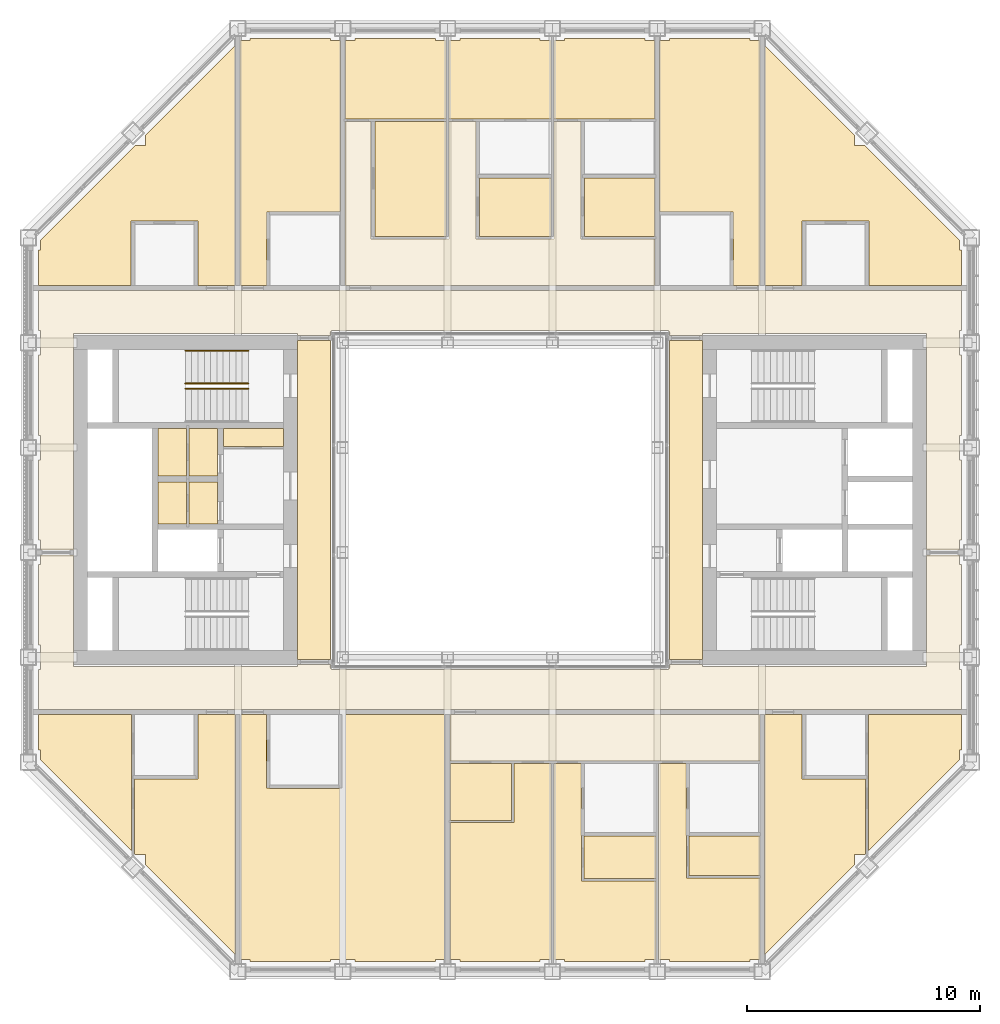
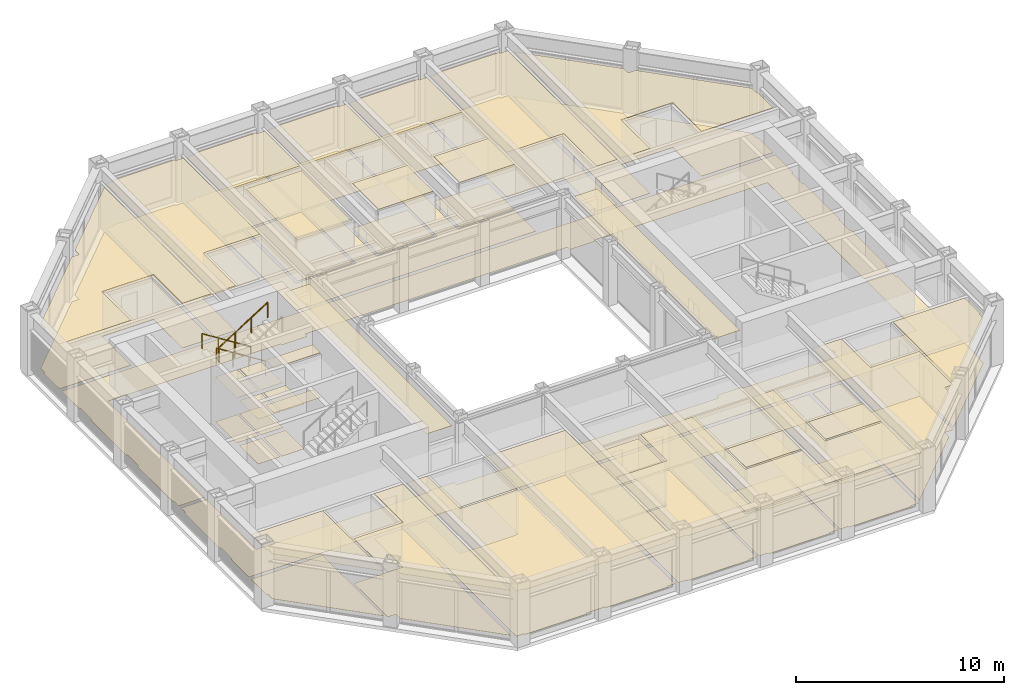
# One storey, part 16 of 17: 6 coverings, 3 railings.
"""IFC4 building model written with IfcOpenShell, lengths in metres."""

import ifcopenshell
import ifcopenshell.guid

model = None  # the IFC model being written
_history = None  # IfcOwnerHistory: only IFC2X3 demands one
_inside = {}  # id of a spatial element -> (the spatial element, [elements in it])
_under = {}  # id of a project, library or spatial element -> (it, [spatial elements below it])
_declared = {}  # id of a project -> (the project, [libraries it declares])
_typed = {}  # id of a type object -> (the type object, [elements of that type])
_made_of = {}  # id of a material, layer set ... -> (it, [elements and type objects made of it])


def new_model(schema):
    """Start an empty IFC model of exactly this schema.

    Asked for "IFC4X3", IfcOpenShell would pick the latest addendum, in which some entities
    have other attributes; the version numbers below select the first issue.
    IFC2X3 requires an IfcOwnerHistory on every rooted entity: one is made here for all.
    """
    global model, _history
    if schema == "IFC4X3":
        model = ifcopenshell.file(schema_version=(4, 3, 0, 0))
    else:
        model = ifcopenshell.file(schema=schema)
    _inside.clear()
    _under.clear()
    _declared.clear()
    _typed.clear()
    _made_of.clear()
    _history = None
    if model.schema == "IFC2X3":
        org = make("IfcOrganization", Name="unknown")
        user = make(
            "IfcPersonAndOrganization",
            ThePerson=make("IfcPerson", FamilyName="unknown"),
            TheOrganization=org,
        )
        app = make(
            "IfcApplication",
            ApplicationDeveloper=org,
            Version="unknown",
            ApplicationFullName="unknown",
            ApplicationIdentifier="unknown",
        )
        _history = make(
            "IfcOwnerHistory",
            OwningUser=user,
            OwningApplication=app,
            ChangeAction="ADDED",
            CreationDate=0,
        )
    return model


def make(cls, **values):
    """One entity of the class cls with the attributes given. An attribute that is None is left unset."""
    return model.create_entity(
        cls, **{name: value for name, value in values.items() if value is not None}
    )


def rooted(cls, **values):
    """An entity with a GlobalId (a new one), such as an element, a storey or a relation."""
    return make(cls, GlobalId=ifcopenshell.guid.new(), OwnerHistory=_history, **values)


def si_unit(unit_type, name, prefix=None):
    """IfcSIUnit, for example si_unit("LENGTHUNIT", "METRE", prefix="MILLI")."""
    return make("IfcSIUnit", UnitType=unit_type, Prefix=prefix, Name=name)


def assignment(units):
    """IfcUnitAssignment: the units of a project."""
    return None if units is None else make("IfcUnitAssignment", Units=units)


def point(xyz):
    """IfcCartesianPoint."""
    return None if xyz is None else make("IfcCartesianPoint", Coordinates=xyz)


def direction(xyz):
    """IfcDirection."""
    return None if xyz is None else make("IfcDirection", DirectionRatios=xyz)


def frame(location, z_axis=None, x_axis=None):
    """IfcAxis2Placement3D, a coordinate frame: its origin and axes. An axis left out is left unset."""
    return make(
        "IfcAxis2Placement3D",
        Location=point(location),
        Axis=direction(z_axis),
        RefDirection=direction(x_axis),
    )


def frame_2d(location, x_axis=None):
    """IfcAxis2Placement2D, a coordinate frame in the plane: its origin and x axis."""
    return make(
        "IfcAxis2Placement2D", Location=point(location), RefDirection=direction(x_axis)
    )


def origin():
    """The frame at (0, 0, 0) with its axes left unset."""
    return frame((0.0, 0.0, 0.0))


def origin_2d():
    """The frame at (0, 0) in the plane with its x axis left unset."""
    return frame_2d((0.0, 0.0))


def place(relative_to, where):
    """IfcLocalPlacement: puts the frame where relative to a parent placement (None: the world)."""
    return make(
        "IfcLocalPlacement", PlacementRelTo=relative_to, RelativePlacement=where
    )


def context(
    kind, dimensions, precision=None, world=None, true_north=None, identifier=None
):
    """IfcGeometricRepresentationContext, for example the 3D "Model" context."""
    return make(
        "IfcGeometricRepresentationContext",
        ContextIdentifier=identifier,
        ContextType=kind,
        CoordinateSpaceDimension=dimensions,
        Precision=precision,
        WorldCoordinateSystem=world,
        TrueNorth=true_north,
    )


def subcontext(parent, identifier, kind, view, scale=None):
    """IfcGeometricRepresentationSubContext, for example "Body" below "Model"."""
    return make(
        "IfcGeometricRepresentationSubContext",
        ContextIdentifier=identifier,
        ContextType=kind,
        ParentContext=parent,
        TargetScale=scale,
        TargetView=view,
    )


def project(units=None, contexts=None):
    """IfcProject with its units and contexts."""
    return rooted(
        "IfcProject",
        Name="project",
        RepresentationContexts=contexts,
        UnitsInContext=assignment(units),
    )


def spatial(cls, under=None, at=None, **own):
    """A site, building, storey or space (cls), placed at a placement, below another one or the project."""
    s = rooted(cls, ObjectPlacement=at, **own)
    if under is not None:
        _under.setdefault(under.id(), (under, []))[1].append(s)
    return s


def point_list(points):
    """IfcCartesianPointList2D or 3D."""
    cls = (
        "IfcCartesianPointList2D" if len(points[0]) == 2 else "IfcCartesianPointList3D"
    )
    return make(cls, CoordList=points)


def line(*indices):
    """IfcLineIndex: a straight run through numbered points of an indexed curve."""
    return model.create_entity("IfcLineIndex", indices)


def indexed_curve(points, segments=None, self_intersect=None):
    """IfcIndexedPolyCurve: lines and arcs through numbered points (the first is 1)."""
    return make(
        "IfcIndexedPolyCurve",
        Points=point_list(points),
        Segments=segments,
        SelfIntersect=self_intersect,
    )


def profile(cls, at=None, kind="AREA", **sizes):
    """A parametric profile (cls). Its sizes go by their IFC names, for example OverallWidth=200.0."""
    return make(cls, ProfileType=kind, Position=at, **sizes)


def circle(**sizes):
    """IfcCircleProfileDef."""
    return profile("IfcCircleProfileDef", **sizes)


def outline(outer, holes=None, kind="AREA"):
    """IfcArbitraryClosedProfileDef: a profile drawn as a closed curve; with holes, ...WithVoids."""
    if holes is None:
        return make("IfcArbitraryClosedProfileDef", ProfileType=kind, OuterCurve=outer)
    return make(
        "IfcArbitraryProfileDefWithVoids",
        ProfileType=kind,
        OuterCurve=outer,
        InnerCurves=holes,
    )


def extrude(swept, where, along, depth):
    """IfcExtrudedAreaSolid: the profile swept, set in the frame where, extruded along a direction by depth."""
    return make(
        "IfcExtrudedAreaSolid",
        SweptArea=swept,
        Position=where,
        ExtrudedDirection=direction(along),
        Depth=depth,
    )


def shape(context_of_items, identifier, shape_type, items):
    """IfcShapeRepresentation: the items that make up one representation, for example the "Body"."""
    return make(
        "IfcShapeRepresentation",
        ContextOfItems=context_of_items,
        RepresentationIdentifier=identifier,
        RepresentationType=shape_type,
        Items=items,
    )


def material(Name=None, Category=None):
    """IfcMaterial."""
    return make("IfcMaterial", Name=Name, Category=Category)


def layer(
    of_material, thickness, ventilated=None, Name=None, Category=None, Priority=None
):
    """IfcMaterialLayer: one layer of a wall or slab, of a material (None: an air gap)."""
    return make(
        "IfcMaterialLayer",
        Material=of_material,
        LayerThickness=thickness,
        IsVentilated=ventilated,
        Name=Name,
        Category=Category,
        Priority=Priority,
    )


def layer_set(layers, Name=None):
    """IfcMaterialLayerSet."""
    return make("IfcMaterialLayerSet", MaterialLayers=layers, LayerSetName=Name)


def made_of(thing, what):
    """Note that an element or type object is made of a material, layer set ...; save() writes the relation."""
    if what is not None:
        _made_of.setdefault(what.id(), (what, []))[1].append(thing)
    return thing


def type_object(cls, material=None, **own):
    """A type object (cls), such as IfcWallType, which elements share."""
    return made_of(rooted(cls, **own), material)


def element(
    cls,
    number,
    at=None,
    inside=None,
    cuts=None,
    type_object=None,
    material=None,
    context=None,
    identifier="Body",
    shape_type=None,
    held_by="IfcProductDefinitionShape",
    body=None,
    shapes=None,
    **own,
):
    """One element of the class cls, such as IfcWall. Its Tag is "e" and its number.

    at: its placement. inside: the storey or other place that contains it. cuts: it is an
    opening in that element (IfcRelVoidsElement). A single representation is given by context,
    identifier, shape_type and body (its items); several are given by shapes. held_by: the class
    of the entity that holds the representations. save() writes the other relations.
    """
    e = rooted(cls, Tag="e%d" % number, ObjectPlacement=at, **own)
    if body is not None:
        shapes = [shape(context, identifier, shape_type, body)]
    if shapes is not None:
        e.Representation = make(held_by, Representations=shapes)
    if inside is not None:
        _inside.setdefault(inside.id(), (inside, []))[1].append(e)
    if cuts is not None:
        rooted(
            "IfcRelVoidsElement", RelatingBuildingElement=cuts, RelatedOpeningElement=e
        )
    if type_object is not None:
        _typed.setdefault(type_object.id(), (type_object, []))[1].append(e)
    return made_of(e, material)


def aggregate(whole, parts):
    """IfcRelAggregates: a whole, such as a stair, and the parts it consists of."""
    return rooted("IfcRelAggregates", RelatingObject=whole, RelatedObjects=parts)


def save(model, path):
    """Write the relations noted so far, then the file.

    IfcRelAggregates (storeys below a building ...), IfcRelContainedInSpatialStructure (elements
    in a storey), IfcRelDefinesByType, IfcRelAssociatesMaterial and IfcRelDeclares: one each for
    every whole, place, type object, material and project.
    """
    for whole, parts in _under.values():
        aggregate(whole, parts)
    for where, things in _inside.values():
        rooted(
            "IfcRelContainedInSpatialStructure",
            RelatedElements=things,
            RelatingStructure=where,
        )
    for kind, things in _typed.values():
        rooted("IfcRelDefinesByType", RelatedObjects=things, RelatingType=kind)
    for what, things in _made_of.values():
        rooted("IfcRelAssociatesMaterial", RelatedObjects=things, RelatingMaterial=what)
    for by, libraries in _declared.values():
        rooted("IfcRelDeclares", RelatingContext=by, RelatedDefinitions=libraries)
    model.write(path)


model = new_model("IFC4")

# Units and contexts
model_context = context("Model", 3, precision=1e-05, world=origin(), true_north=direction((0.0, 1.0)))
body_context = subcontext(model_context, "Body", "Model", "MODEL_VIEW")
ifc_project = project(units=[si_unit("LENGTHUNIT", "METRE"), si_unit("AREAUNIT", "SQUARE_METRE"), si_unit("VOLUMEUNIT", "CUBIC_METRE"), si_unit("PLANEANGLEUNIT", "RADIAN"), si_unit("MASSUNIT", "GRAM", prefix="KILO")], contexts=[model_context])

# Site, building, storey
site_placement = place(None, origin())
site = spatial("IfcSite", under=ifc_project, at=site_placement, CompositionType="ELEMENT")
building_placement = place(site_placement, origin())
building = spatial("IfcBuilding", under=site, at=building_placement, Name="Msasa Ring Tower", CompositionType="ELEMENT")
storey_placement = place(building_placement, frame((0.0, 0.0, 234.550048828125)))
storey = spatial("IfcBuildingStorey", under=building, at=storey_placement, Name="L61", CompositionType="ELEMENT", Elevation=234.550048828125)

# Coverings
ifc_material_1 = material(Name="Gypsum plasterboard on a steel suspension grid", Category="steel")
ifc_layer_1 = layer(ifc_material_1, 0.014892578125)
ifc_layer_set_1 = layer_set([ifc_layer_1], Name="C1 SUSPENDED PLASTERBOARD CEILING 15")
covering_type_1 = type_object("IfcCoveringType", Name="C1 SUSPENDED PLASTERBOARD CEILING 15", PredefinedType="CEILING", material=ifc_layer_set_1)
covering_1_placement = place(storey_placement, frame((0.0, 0.0, 3.199951171875)))
element("IfcCovering", 1, at=covering_1_placement, inside=storey, type_object=covering_type_1, Name="Suspended Plasterboard Ceiling 15 public rooms L61", PredefinedType="CEILING", context=body_context, shape_type="SweptSolid", body=[
    extrude(outline(indexed_curve([(-7.280029296875, 6.849609375), (-7.280029296875, -6.849609375), (-8.699462890625, -6.849609375), (-8.699462890625, 6.849609375)], segments=[line(1, 2, 3, 4, 1)], self_intersect=False)), origin(), (0.0, 0.0, 1.0), 0.014892578125),
    extrude(outline(indexed_curve([(8.699462890625, 6.849609375), (8.699462890625, -6.849609375), (7.280029296875, -6.849609375), (7.280029296875, 6.849609375)], segments=[line(1, 2, 3, 4, 1)], self_intersect=False)), origin(), (0.0, 0.0, 1.0), 0.014892578125),
])
covering_2_placement = place(storey_placement, frame((0.0, 0.0, 2.634033203125)))
element("IfcCovering", 2, at=covering_2_placement, inside=storey, type_object=covering_type_1, Name="Suspended Plasterboard Ceiling 15 L61", PredefinedType="CEILING", context=body_context, shape_type="SweptSolid", body=[
    extrude(outline(indexed_curve([(-15.810546875, -15.052490234375), (-19.724609375, -11.138427734375), (-19.724609375, -10.724609375), (-19.799560546875, -10.724609375), (-19.799560546875, -9.200439453125), (-15.810546875, -9.200439453125)], segments=[line(1, 2, 3, 4, 5, 6, 1)], self_intersect=False)), origin(), (0.0, 0.0, 1.0), 0.014892578125),
    extrude(outline(indexed_curve([(-19.799560546875, 9.200439453125), (-19.799560546875, 10.724609375), (-19.724609375, 10.724609375), (-19.724609375, 11.138427734375), (-15.638427734375, 15.224609375), (-15.224609375, 15.224609375), (-15.224609375, 15.638427734375), (-11.3505859375, 19.512451171875), (-11.3505859375, 9.200439453125), (-12.969482421875, 9.200439453125), (-12.969482421875, 11.98046875), (-15.83056640625, 11.98046875), (-15.83056640625, 9.200439453125)], segments=[line(1, 2, 3, 4, 5, 6, 7, 8, 9, 10, 11, 12, 13, 1)], self_intersect=False)), origin(), (0.0, 0.0, 1.0), 0.014892578125),
    extrude(outline(indexed_curve([(-11.3505859375, -19.512451171875), (-15.224609375, -15.638427734375), (-15.224609375, -15.224609375), (-15.638427734375, -15.224609375), (-15.689453125, -15.17333984375), (-15.689453125, -11.98046875), (-12.969482421875, -11.98046875), (-12.969482421875, -9.200439453125), (-11.3505859375, -9.200439453125)], segments=[line(1, 2, 3, 4, 5, 6, 7, 8, 9, 1)], self_intersect=False)), origin(), (0.0, 0.0, 1.0), 0.014892578125),
    extrude(outline(indexed_curve([(-13.45556640625, -1.0244140625), (-14.674560546875, -1.0244140625), (-14.674560546875, 0.7744140625), (-13.45556640625, 0.7744140625)], segments=[line(1, 2, 3, 4, 1)], self_intersect=False)), origin(), (0.0, 0.0, 1.0), 0.014892578125),
    extrude(outline(indexed_curve([(-14.674560546875, 3.074462890625), (-13.45556640625, 3.074462890625), (-13.45556640625, 1.025390625), (-14.674560546875, 1.025390625)], segments=[line(1, 2, 3, 4, 1)], self_intersect=False)), origin(), (0.0, 0.0, 1.0), 0.014892578125),
    extrude(outline(indexed_curve([(-12.12548828125, -1.0244140625), (-13.344482421875, -1.0244140625), (-13.344482421875, 0.7744140625), (-12.12548828125, 0.7744140625)], segments=[line(1, 2, 3, 4, 1)], self_intersect=False)), origin(), (0.0, 0.0, 1.0), 0.014892578125),
    extrude(outline(indexed_curve([(-12.12548828125, 3.074462890625), (-12.12548828125, 1.025390625), (-13.344482421875, 1.025390625), (-13.344482421875, 3.074462890625)], segments=[line(1, 2, 3, 4, 1)], self_intersect=False)), origin(), (0.0, 0.0, 1.0), 0.014892578125),
    extrude(outline(indexed_curve([(-9.300537109375, 3.074462890625), (-9.300537109375, 2.305419921875), (-11.87451171875, 2.305419921875), (-11.87451171875, 3.074462890625)], segments=[line(1, 2, 3, 4, 1)], self_intersect=False)), origin(), (0.0, 0.0, 1.0), 0.014892578125),
    extrude(outline(indexed_curve([(-6.799560546875, -12.3505859375), (-6.799560546875, -9.200439453125), (-2.3505859375, -9.200439453125), (-2.3505859375, -19.724609375), (-2.775390625, -19.724609375), (-2.775390625, -19.799560546875), (-6.224609375, -19.799560546875), (-6.224609375, -19.724609375), (-7.275390625, -19.724609375), (-7.275390625, -19.799560546875), (-10.724609375, -19.799560546875), (-10.724609375, -19.724609375), (-11.138427734375, -19.724609375), (-11.1494140625, -19.71337890625), (-11.1494140625, -9.200439453125), (-10.00048828125, -9.200439453125), (-10.00048828125, -12.3505859375)], segments=[line(1, 2, 3, 4, 5, 6, 7, 8, 9, 10, 11, 12, 13, 14, 15, 16, 17, 1)], self_intersect=False)), origin(), (0.0, 0.0, 1.0), 0.014892578125),
    extrude(outline(indexed_curve([(-11.1494140625, 9.200439453125), (-11.1494140625, 19.71337890625), (-11.138427734375, 19.724609375), (-10.724609375, 19.724609375), (-10.724609375, 19.799560546875), (-7.275390625, 19.799560546875), (-7.275390625, 19.724609375), (-6.8505859375, 19.724609375), (-6.8505859375, 12.3505859375), (-10.00048828125, 12.3505859375), (-10.00048828125, 9.200439453125)], segments=[line(1, 2, 3, 4, 5, 6, 7, 8, 9, 10, 11, 1)], self_intersect=False)), origin(), (0.0, 0.0, 1.0), 0.014892578125),
    extrude(outline(indexed_curve([(-6.689453125, 19.724609375), (-6.224609375, 19.724609375), (-6.224609375, 19.799560546875), (-2.775390625, 19.799560546875), (-2.775390625, 19.724609375), (-2.310546875, 19.724609375), (-2.310546875, 16.35546875), (-6.689453125, 16.35546875)], segments=[line(1, 2, 3, 4, 5, 6, 7, 8, 1)], self_intersect=False)), origin(), (0.0, 0.0, 1.0), 0.014892578125),
    extrude(outline(indexed_curve([(2.189453125, -11.300537109375), (2.189453125, -19.724609375), (1.724609375, -19.724609375), (1.724609375, -19.799560546875), (-1.724609375, -19.799560546875), (-1.724609375, -19.724609375), (-2.189453125, -19.724609375), (-2.189453125, -13.8505859375), (0.6005859375, -13.8505859375), (0.6005859375, -11.300537109375)], segments=[line(1, 2, 3, 4, 5, 6, 7, 8, 9, 10, 1)], self_intersect=False)), origin(), (0.0, 0.0, 1.0), 0.014892578125),
    extrude(outline(indexed_curve([(-2.189453125, 19.724609375), (-1.724609375, 19.724609375), (-1.724609375, 19.799560546875), (1.724609375, 19.799560546875), (1.724609375, 19.724609375), (2.189453125, 19.724609375), (2.189453125, 16.35546875), (-2.189453125, 16.35546875)], segments=[line(1, 2, 3, 4, 5, 6, 7, 8, 1)], self_intersect=False)), origin(), (0.0, 0.0, 1.0), 0.014892578125),
    extrude(outline(indexed_curve([(-0.869384765625, 13.819580078125), (2.189453125, 13.819580078125), (2.189453125, 11.305419921875), (-0.869384765625, 11.305419921875)], segments=[line(1, 2, 3, 4, 1)], self_intersect=False)), origin(), (0.0, 0.0, 1.0), 0.014892578125),
    extrude(outline(indexed_curve([(6.689453125, -19.724609375), (6.224609375, -19.724609375), (6.224609375, -19.799560546875), (2.775390625, -19.799560546875), (2.775390625, -19.724609375), (2.310546875, -19.724609375), (2.310546875, -11.300537109375), (3.49951171875, -11.300537109375), (3.49951171875, -16.3505859375), (6.689453125, -16.3505859375)], segments=[line(1, 2, 3, 4, 5, 6, 7, 8, 9, 10, 1)], self_intersect=False)), origin(), (0.0, 0.0, 1.0), 0.014892578125),
    extrude(outline(indexed_curve([(2.310546875, 19.724609375), (2.775390625, 19.724609375), (2.775390625, 19.799560546875), (6.224609375, 19.799560546875), (6.224609375, 19.724609375), (6.689453125, 19.724609375), (6.689453125, 16.35546875), (2.310546875, 16.35546875)], segments=[line(1, 2, 3, 4, 5, 6, 7, 8, 1)], self_intersect=False)), origin(), (0.0, 0.0, 1.0), 0.014892578125),
    extrude(outline(indexed_curve([(6.689453125, -14.430419921875), (6.689453125, -16.244384765625), (3.6005859375, -16.244384765625), (3.6005859375, -14.430419921875)], segments=[line(1, 2, 3, 4, 1)], self_intersect=False)), origin(), (0.0, 0.0, 1.0), 0.014892578125),
    extrude(outline(indexed_curve([(6.689453125, 13.819580078125), (6.689453125, 11.305419921875), (3.630615234375, 11.305419921875), (3.630615234375, 13.819580078125)], segments=[line(1, 2, 3, 4, 1)], self_intersect=False)), origin(), (0.0, 0.0, 1.0), 0.014892578125),
    extrude(outline(indexed_curve([(11.138427734375, -19.724609375), (10.724609375, -19.724609375), (10.724609375, -19.799560546875), (7.275390625, -19.799560546875), (7.275390625, -19.724609375), (6.810546875, -19.724609375), (6.810546875, -11.300537109375), (7.99951171875, -11.300537109375), (7.99951171875, -16.22412109375), (11.189453125, -16.22412109375), (11.189453125, -19.67333984375)], segments=[line(1, 2, 3, 4, 5, 6, 7, 8, 9, 10, 11, 1)], self_intersect=False)), origin(), (0.0, 0.0, 1.0), 0.014892578125),
    extrude(outline(indexed_curve([(10.724609375, 19.799560546875), (10.724609375, 19.724609375), (11.138427734375, 19.724609375), (11.1494140625, 19.71337890625), (11.1494140625, 9.200439453125), (10.00048828125, 9.200439453125), (10.00048828125, 12.3505859375), (6.8505859375, 12.3505859375), (6.8505859375, 19.724609375), (7.275390625, 19.724609375), (7.275390625, 19.799560546875)], segments=[line(1, 2, 3, 4, 5, 6, 7, 8, 9, 10, 11, 1)], self_intersect=False)), origin(), (0.0, 0.0, 1.0), 0.014892578125),
    extrude(outline(indexed_curve([(8.1005859375, -14.430419921875), (11.189453125, -14.430419921875), (11.189453125, -16.1181640625), (8.1005859375, -16.1181640625)], segments=[line(1, 2, 3, 4, 1)], self_intersect=False)), origin(), (0.0, 0.0, 1.0), 0.014892578125),
    extrude(outline(indexed_curve([(11.3505859375, -9.200439453125), (12.969482421875, -9.200439453125), (12.969482421875, -11.98046875), (15.689453125, -11.98046875), (15.689453125, -15.17333984375), (15.638427734375, -15.224609375), (15.224609375, -15.224609375), (15.224609375, -15.638427734375), (11.3505859375, -19.512451171875)], segments=[line(1, 2, 3, 4, 5, 6, 7, 8, 9, 1)], self_intersect=False)), origin(), (0.0, 0.0, 1.0), 0.014892578125),
    extrude(outline(indexed_curve([(12.969482421875, 9.200439453125), (11.3505859375, 9.200439453125), (11.3505859375, 19.512451171875), (15.224609375, 15.638427734375), (15.224609375, 15.224609375), (15.638427734375, 15.224609375), (19.724609375, 11.138427734375), (19.724609375, 10.724609375), (19.799560546875, 10.724609375), (19.799560546875, 9.200439453125), (15.83056640625, 9.200439453125), (15.83056640625, 11.98046875), (12.969482421875, 11.98046875)], segments=[line(1, 2, 3, 4, 5, 6, 7, 8, 9, 10, 11, 12, 13, 1)], self_intersect=False)), origin(), (0.0, 0.0, 1.0), 0.014892578125),
    extrude(outline(indexed_curve([(19.799560546875, -10.724609375), (19.724609375, -10.724609375), (19.724609375, -11.138427734375), (15.810546875, -15.052490234375), (15.810546875, -9.200439453125), (19.799560546875, -9.200439453125)], segments=[line(1, 2, 3, 4, 5, 6, 1)], self_intersect=False)), origin(), (0.0, 0.0, 1.0), 0.014892578125),
])
ifc_material_2 = material(Name="Perforated aluminium ceiling pans on a steel grid", Category="steel")
ifc_layer_2 = layer(ifc_material_2, 0.02490234375)
ifc_layer_set_2 = layer_set([ifc_layer_2], Name="C4 PERFORATED METAL PAN CEILING 25")
covering_type_2 = type_object("IfcCoveringType", Name="C4 PERFORATED METAL PAN CEILING 25", PredefinedType="CEILING", material=ifc_layer_set_2)
covering_3_placement = place(storey_placement, frame((0.0, 0.0, 2.39990234375)))
element("IfcCovering", 3, at=covering_3_placement, inside=storey, type_object=covering_type_2, Name="Perforated Metal Pan Ceiling 25 L61", PredefinedType="CEILING", context=body_context, shape_type="SweptSolid", body=[
    extrude(outline(indexed_curve([(-2.310546875, 16.244384765625), (-2.310546875, 11.305419921875), (-5.369384765625, 11.305419921875), (-5.369384765625, 16.244384765625)], segments=[line(1, 2, 3, 4, 1)], self_intersect=False)), origin(), (0.0, 0.0, 1.0), 0.025146484375),
    extrude(outline(indexed_curve([(0.49951171875, -11.300537109375), (0.49951171875, -13.74951171875), (-2.1494140625, -13.74951171875), (-2.1494140625, -11.300537109375)], segments=[line(1, 2, 3, 4, 1)], self_intersect=False)), origin(), (0.0, 0.0, 1.0), 0.025146484375),
])
ifc_material_3 = material(Name="Wool-blend carpet on felt underlay", Category="textile")
ifc_layer_3 = layer(ifc_material_3, 0.011962890625)
ifc_layer_set_3 = layer_set([ifc_layer_3], Name="F2 CARPET ON UNDERLAY 12")
covering_type_3 = type_object("IfcCoveringType", Name="F2 CARPET ON UNDERLAY 12", PredefinedType="FLOORING", material=ifc_layer_set_3)
covering_4_placement = place(storey_placement, origin())
element("IfcCovering", 4, at=covering_4_placement, inside=storey, type_object=covering_type_3, Name="Carpet On Underlay 12 L61", PredefinedType="FLOORING", context=body_context, shape_type="SweptSolid", body=[
    extrude(outline(indexed_curve([(-19.799560546875, -9.200439453125), (-15.810546875, -9.200439453125), (-15.810546875, -15.052490234375), (-19.724609375, -11.138427734375), (-19.724609375, -10.724609375), (-19.799560546875, -10.724609375)], segments=[line(1, 2, 3, 4, 5, 6, 1)], self_intersect=False)), origin(), (0.0, 0.0, 1.0), 0.011962890625),
    extrude(outline(indexed_curve([(8.699462890625, -7.150390625), (18.300537109375, -7.150390625), (18.300537109375, -2.3505859375), (19.724609375, -2.3505859375), (19.724609375, -2.775390625), (19.799560546875, -2.775390625), (19.799560546875, -6.224609375), (19.724609375, -6.224609375), (19.724609375, -7.275390625), (19.799560546875, -7.275390625), (19.799560546875, -8.99951171875), (-19.799560546875, -8.99951171875), (-19.799560546875, -7.275390625), (-19.724609375, -7.275390625), (-19.724609375, -6.224609375), (-19.799560546875, -6.224609375), (-19.799560546875, -2.775390625), (-19.724609375, -2.775390625), (-19.724609375, -2.3505859375), (-18.300537109375, -2.3505859375), (-18.300537109375, -7.150390625), (-8.699462890625, -7.150390625), (-8.699462890625, -7.050537109375), (-7.280029296875, -7.050537109375), (-7.280517578125, -7.23046875), (-7.22998046875, -7.23046875), (-7.22998046875, -7.280029296875), (7.22998046875, -7.280029296875), (7.22998046875, -7.23046875), (7.280517578125, -7.23046875), (7.280029296875, -7.050537109375), (8.699462890625, -7.050537109375)], segments=[line(1, 2, 3, 4, 5, 6, 7, 8, 9, 10, 11, 12, 13, 14, 15, 16, 17, 18, 19, 20, 21, 22, 23, 24, 25, 26, 27, 28, 29, 30, 31, 32, 1)], self_intersect=False)), origin(), (0.0, 0.0, 1.0), 0.011962890625),
    extrude(outline(indexed_curve([(18.300537109375, -2.1494140625), (18.300537109375, 7.150390625), (8.699462890625, 7.150390625), (8.699462890625, 7.050537109375), (7.280029296875, 7.050537109375), (7.280517578125, 7.23046875), (7.22998046875, 7.23046875), (7.22998046875, 7.280029296875), (-7.22998046875, 7.280029296875), (-7.22998046875, 7.23046875), (-7.280517578125, 7.23046875), (-7.280029296875, 7.050537109375), (-8.699462890625, 7.050537109375), (-8.699462890625, 7.150390625), (-18.300537109375, 7.150390625), (-18.300537109375, -2.1494140625), (-19.724609375, -2.1494140625), (-19.724609375, -1.724609375), (-19.799560546875, -1.724609375), (-19.799560546875, 1.724609375), (-19.724609375, 1.724609375), (-19.724609375, 2.775390625), (-19.799560546875, 2.775390625), (-19.799560546875, 6.224609375), (-19.724609375, 6.224609375), (-19.724609375, 7.275390625), (-19.799560546875, 7.275390625), (-19.799560546875, 8.99951171875), (19.799560546875, 8.99951171875), (19.799560546875, 7.275390625), (19.724609375, 7.275390625), (19.724609375, 6.224609375), (19.799560546875, 6.224609375), (19.799560546875, 2.775390625), (19.724609375, 2.775390625), (19.724609375, 1.724609375), (19.799560546875, 1.724609375), (19.799560546875, -1.724609375), (19.724609375, -1.724609375), (19.724609375, -2.1494140625)], segments=[line(1, 2, 3, 4, 5, 6, 7, 8, 9, 10, 11, 12, 13, 14, 15, 16, 17, 18, 19, 20, 21, 22, 23, 24, 25, 26, 27, 28, 29, 30, 31, 32, 33, 34, 35, 36, 37, 38, 39, 40, 1)], self_intersect=False)), origin(), (0.0, 0.0, 1.0), 0.011962890625),
    extrude(outline(indexed_curve([(-15.224609375, -15.638427734375), (-15.224609375, -15.224609375), (-15.638427734375, -15.224609375), (-15.689453125, -15.17333984375), (-15.689453125, -11.98046875), (-12.969482421875, -11.98046875), (-12.969482421875, -9.200439453125), (-11.3505859375, -9.200439453125), (-11.3505859375, -19.512451171875)], segments=[line(1, 2, 3, 4, 5, 6, 7, 8, 9, 1)], self_intersect=False)), origin(), (0.0, 0.0, 1.0), 0.011962890625),
    extrude(outline(indexed_curve([(-13.45556640625, -1.0244140625), (-14.674560546875, -1.0244140625), (-14.674560546875, 0.7744140625), (-13.45556640625, 0.7744140625)], segments=[line(1, 2, 3, 4, 1)], self_intersect=False)), origin(), (0.0, 0.0, 1.0), 0.011962890625),
    extrude(outline(indexed_curve([(-13.45556640625, 3.074462890625), (-13.45556640625, 1.025390625), (-14.674560546875, 1.025390625), (-14.674560546875, 3.074462890625)], segments=[line(1, 2, 3, 4, 1)], self_intersect=False)), origin(), (0.0, 0.0, 1.0), 0.011962890625),
    extrude(outline(indexed_curve([(-12.12548828125, -1.0244140625), (-13.344482421875, -1.0244140625), (-13.344482421875, 0.7744140625), (-12.12548828125, 0.7744140625)], segments=[line(1, 2, 3, 4, 1)], self_intersect=False)), origin(), (0.0, 0.0, 1.0), 0.011962890625),
    extrude(outline(indexed_curve([(-12.12548828125, 1.025390625), (-13.344482421875, 1.025390625), (-13.344482421875, 3.074462890625), (-12.12548828125, 3.074462890625)], segments=[line(1, 2, 3, 4, 1)], self_intersect=False)), origin(), (0.0, 0.0, 1.0), 0.011962890625),
    extrude(outline(indexed_curve([(-9.300537109375, 2.305419921875), (-11.87451171875, 2.305419921875), (-11.87451171875, 3.074462890625), (-9.300537109375, 3.074462890625)], segments=[line(1, 2, 3, 4, 1)], self_intersect=False)), origin(), (0.0, 0.0, 1.0), 0.011962890625),
    extrude(outline(indexed_curve([(-11.1494140625, 19.71337890625), (-11.138427734375, 19.724609375), (-10.724609375, 19.724609375), (-10.724609375, 19.799560546875), (-7.275390625, 19.799560546875), (-7.275390625, 19.724609375), (-6.8505859375, 19.724609375), (-6.8505859375, 12.37548828125), (-9.89990234375, 12.37548828125), (-9.89990234375, 12.3505859375), (-10.025390625, 12.35009765625), (-10.025390625, 9.200439453125), (-11.1494140625, 9.200439453125)], segments=[line(1, 2, 3, 4, 5, 6, 7, 8, 9, 10, 11, 12, 13, 1)], self_intersect=False)), origin(), (0.0, 0.0, 1.0), 0.011962890625),
    extrude(outline(indexed_curve([(-2.189453125, 16.244384765625), (-1.030517578125, 16.244384765625), (-1.030517578125, 11.199462890625), (2.310546875, 11.199462890625), (2.310546875, 16.244384765625), (3.469482421875, 16.244384765625), (3.469482421875, 11.199462890625), (6.6494140625, 11.199462890625), (6.6494140625, 9.200439453125), (-6.6494140625, 9.200439453125), (-6.6494140625, 16.244384765625), (-5.530517578125, 16.244384765625), (-5.530517578125, 11.199462890625), (-2.189453125, 11.199462890625)], segments=[line(1, 2, 3, 4, 5, 6, 7, 8, 9, 10, 11, 12, 13, 14, 1)], self_intersect=False)), origin(), (0.0, 0.0, 1.0), 0.011962890625),
    extrude(outline(indexed_curve([(-2.775390625, 19.799560546875), (-2.775390625, 19.724609375), (-2.310546875, 19.724609375), (-2.310546875, 16.35546875), (-6.6494140625, 16.35546875), (-6.6494140625, 19.724609375), (-6.224609375, 19.724609375), (-6.224609375, 19.799560546875)], segments=[line(1, 2, 3, 4, 5, 6, 7, 8, 1)], self_intersect=False)), origin(), (0.0, 0.0, 1.0), 0.011962890625),
    extrude(outline(indexed_curve([(-2.189453125, 19.724609375), (-1.724609375, 19.724609375), (-1.724609375, 19.799560546875), (1.724609375, 19.799560546875), (1.724609375, 19.724609375), (2.189453125, 19.724609375), (2.189453125, 16.35546875), (-2.189453125, 16.35546875)], segments=[line(1, 2, 3, 4, 5, 6, 7, 8, 1)], self_intersect=False)), origin(), (0.0, 0.0, 1.0), 0.011962890625),
    extrude(outline(indexed_curve([(2.189453125, -19.724609375), (1.724609375, -19.724609375), (1.724609375, -19.799560546875), (-1.724609375, -19.799560546875), (-1.724609375, -19.724609375), (-2.1494140625, -19.724609375), (-2.1494140625, -13.8505859375), (0.6005859375, -13.8505859375), (0.6005859375, -11.300537109375), (2.189453125, -11.300537109375)], segments=[line(1, 2, 3, 4, 5, 6, 7, 8, 9, 10, 1)], self_intersect=False)), origin(), (0.0, 0.0, 1.0), 0.011962890625),
    extrude(outline(indexed_curve([(11.1494140625, -11.199462890625), (-2.1494140625, -11.199462890625), (-2.1494140625, -9.200439453125), (11.1494140625, -9.200439453125)], segments=[line(1, 2, 3, 4, 1)], self_intersect=False)), origin(), (0.0, 0.0, 1.0), 0.011962890625),
    extrude(outline(indexed_curve([(2.189453125, 11.305419921875), (-0.869384765625, 11.305419921875), (-0.869384765625, 13.819580078125), (2.189453125, 13.819580078125)], segments=[line(1, 2, 3, 4, 1)], self_intersect=False)), origin(), (0.0, 0.0, 1.0), 0.011962890625),
    extrude(outline(indexed_curve([(2.310546875, -11.300537109375), (3.474609375, -11.300537109375), (3.474609375, -14.39990234375), (3.49951171875, -14.39990234375), (3.49951171875, -16.3505859375), (6.689453125, -16.3505859375), (6.689453125, -19.724609375), (6.224609375, -19.724609375), (6.224609375, -19.799560546875), (2.775390625, -19.799560546875), (2.775390625, -19.724609375), (2.310546875, -19.724609375)], segments=[line(1, 2, 3, 4, 5, 6, 7, 8, 9, 10, 11, 12, 1)], self_intersect=False)), origin(), (0.0, 0.0, 1.0), 0.011962890625),
    extrude(outline(indexed_curve([(6.224609375, 19.799560546875), (6.224609375, 19.724609375), (6.6494140625, 19.724609375), (6.6494140625, 16.35546875), (2.310546875, 16.35546875), (2.310546875, 19.724609375), (2.775390625, 19.724609375), (2.775390625, 19.799560546875)], segments=[line(1, 2, 3, 4, 5, 6, 7, 8, 1)], self_intersect=False)), origin(), (0.0, 0.0, 1.0), 0.011962890625),
    extrude(outline(indexed_curve([(6.689453125, -14.430419921875), (6.689453125, -16.244384765625), (3.6005859375, -16.244384765625), (3.6005859375, -14.430419921875)], segments=[line(1, 2, 3, 4, 1)], self_intersect=False)), origin(), (0.0, 0.0, 1.0), 0.011962890625),
    extrude(outline(indexed_curve([(3.630615234375, 11.305419921875), (3.630615234375, 13.819580078125), (6.6494140625, 13.819580078125), (6.6494140625, 11.305419921875)], segments=[line(1, 2, 3, 4, 1)], self_intersect=False)), origin(), (0.0, 0.0, 1.0), 0.011962890625),
    extrude(outline(indexed_curve([(7.275390625, -19.799560546875), (7.275390625, -19.724609375), (6.810546875, -19.724609375), (6.810546875, -11.300537109375), (7.974609375, -11.300537109375), (7.974609375, -14.39990234375), (7.99951171875, -14.39990234375), (7.99951171875, -16.22412109375), (11.1494140625, -16.22412109375), (11.1494140625, -19.71337890625), (11.138427734375, -19.724609375), (10.724609375, -19.724609375), (10.724609375, -19.799560546875)], segments=[line(1, 2, 3, 4, 5, 6, 7, 8, 9, 10, 11, 12, 13, 1)], self_intersect=False)), origin(), (0.0, 0.0, 1.0), 0.011962890625),
    extrude(outline(indexed_curve([(11.1494140625, 9.200439453125), (10.025390625, 9.200439453125), (10.025390625, 12.35009765625), (9.89990234375, 12.3505859375), (9.89990234375, 12.37548828125), (6.8505859375, 12.37548828125), (6.8505859375, 19.724609375), (7.275390625, 19.724609375), (7.275390625, 19.799560546875), (10.724609375, 19.799560546875), (10.724609375, 19.724609375), (11.138427734375, 19.724609375), (11.1494140625, 19.71337890625)], segments=[line(1, 2, 3, 4, 5, 6, 7, 8, 9, 10, 11, 12, 13, 1)], self_intersect=False)), origin(), (0.0, 0.0, 1.0), 0.011962890625),
    extrude(outline(indexed_curve([(8.1005859375, -16.1181640625), (8.1005859375, -14.430419921875), (11.1494140625, -14.430419921875), (11.1494140625, -16.1181640625)], segments=[line(1, 2, 3, 4, 1)], self_intersect=False)), origin(), (0.0, 0.0, 1.0), 0.011962890625),
    extrude(outline(indexed_curve([(12.969482421875, -9.200439453125), (12.969482421875, -11.98046875), (15.689453125, -11.98046875), (15.689453125, -15.17333984375), (15.638427734375, -15.224609375), (15.224609375, -15.224609375), (15.224609375, -15.638427734375), (11.3505859375, -19.512451171875), (11.3505859375, -9.200439453125)], segments=[line(1, 2, 3, 4, 5, 6, 7, 8, 9, 1)], self_intersect=False)), origin(), (0.0, 0.0, 1.0), 0.011962890625),
    extrude(outline(indexed_curve([(19.799560546875, -10.724609375), (19.724609375, -10.724609375), (19.724609375, -11.138427734375), (15.810546875, -15.052490234375), (15.810546875, -9.200439453125), (19.799560546875, -9.200439453125)], segments=[line(1, 2, 3, 4, 5, 6, 1)], self_intersect=False)), origin(), (0.0, 0.0, 1.0), 0.011962890625),
])
ifc_material_4 = material(Name="Engineered oak boards on an acoustic underlay", Category="wood")
ifc_layer_4 = layer(ifc_material_4, 0.01806640625)
ifc_layer_set_4 = layer_set([ifc_layer_4], Name="F3 ENGINEERED TIMBER ON ACOUSTIC UNDERLAY 18")
covering_type_4 = type_object("IfcCoveringType", Name="F3 ENGINEERED TIMBER ON ACOUSTIC UNDERLAY 18", PredefinedType="FLOORING", material=ifc_layer_set_4)
covering_5_placement = place(storey_placement, origin())
element("IfcCovering", 5, at=covering_5_placement, inside=storey, type_object=covering_type_4, Name="Engineered Timber On Acoustic Underlay 18 L61", PredefinedType="FLOORING", context=body_context, shape_type="SweptSolid", body=[
    extrude(outline(indexed_curve([(-15.83056640625, 9.200439453125), (-19.799560546875, 9.200439453125), (-19.799560546875, 10.724609375), (-19.724609375, 10.724609375), (-19.724609375, 11.138427734375), (-15.638427734375, 15.224609375), (-15.224609375, 15.224609375), (-15.224609375, 15.638427734375), (-11.3505859375, 19.512451171875), (-11.3505859375, 9.200439453125), (-12.969482421875, 9.200439453125), (-12.969482421875, 11.98046875), (-15.83056640625, 11.98046875)], segments=[line(1, 2, 3, 4, 5, 6, 7, 8, 9, 10, 11, 12, 13, 1)], self_intersect=False)), origin(), (0.0, 0.0, 1.0), 0.01806640625),
    extrude(outline(indexed_curve([(-11.1494140625, -9.200439453125), (-10.025390625, -9.200439453125), (-10.025390625, -12.35009765625), (-9.89990234375, -12.3505859375), (-9.89990234375, -12.37548828125), (-6.89990234375, -12.37548828125), (-6.89990234375, -12.3505859375), (-6.7744140625, -12.35009765625), (-6.7744140625, -9.200439453125), (-2.3505859375, -9.200439453125), (-2.3505859375, -19.724609375), (-2.775390625, -19.724609375), (-2.775390625, -19.799560546875), (-6.224609375, -19.799560546875), (-6.224609375, -19.724609375), (-7.275390625, -19.724609375), (-7.275390625, -19.799560546875), (-10.724609375, -19.799560546875), (-10.724609375, -19.724609375), (-11.138427734375, -19.724609375), (-11.1494140625, -19.71337890625)], segments=[line(1, 2, 3, 4, 5, 6, 7, 8, 9, 10, 11, 12, 13, 14, 15, 16, 17, 18, 19, 20, 21, 1)], self_intersect=False)), origin(), (0.0, 0.0, 1.0), 0.01806640625),
    extrude(outline(indexed_curve([(15.83056640625, 11.98046875), (12.969482421875, 11.98046875), (12.969482421875, 9.200439453125), (11.3505859375, 9.200439453125), (11.3505859375, 19.512451171875), (15.224609375, 15.638427734375), (15.224609375, 15.224609375), (15.638427734375, 15.224609375), (19.724609375, 11.138427734375), (19.724609375, 10.724609375), (19.799560546875, 10.724609375), (19.799560546875, 9.200439453125), (15.83056640625, 9.200439453125)], segments=[line(1, 2, 3, 4, 5, 6, 7, 8, 9, 10, 11, 12, 13, 1)], self_intersect=False)), origin(), (0.0, 0.0, 1.0), 0.01806640625),
])
ifc_material_5 = material(Name="Welded vinyl safety sheet flooring", Category="vinyl")
ifc_layer_5 = layer(ifc_material_5, 0.0029296875)
ifc_layer_set_5 = layer_set([ifc_layer_5], Name="F5 RESILIENT SHEET FLOORING 3")
covering_type_5 = type_object("IfcCoveringType", Name="F5 RESILIENT SHEET FLOORING 3", PredefinedType="FLOORING", material=ifc_layer_set_5)
covering_6_placement = place(storey_placement, origin())
element("IfcCovering", 6, at=covering_6_placement, inside=storey, type_object=covering_type_5, Name="Resilient Sheet Flooring 3 L61", PredefinedType="FLOORING", context=body_context, shape_type="SweptSolid", body=[
    extrude(outline(indexed_curve([(-2.310546875, 11.305419921875), (-5.369384765625, 11.305419921875), (-5.369384765625, 16.244384765625), (-2.310546875, 16.244384765625)], segments=[line(1, 2, 3, 4, 1)], self_intersect=False)), origin(), (0.0, 0.0, 1.0), 0.0029296875),
    extrude(outline(indexed_curve([(0.49951171875, -13.74951171875), (-2.1494140625, -13.74951171875), (-2.1494140625, -11.300537109375), (0.49951171875, -11.300537109375)], segments=[line(1, 2, 3, 4, 1)], self_intersect=False)), origin(), (0.0, 0.0, 1.0), 0.0029296875),
])

# Railings
ifc_material_6 = material(Name="Stainless steel", Category="steel")
railing_type = type_object("IfcRailingType", Name="HR1 HANDRAIL 900", PredefinedType="HANDRAIL", material=ifc_material_6)
for number, where, name in (
    (7, (-10.800048828125, 5.0, 0.17041015625), "Handrail stair SWB L61 1"),
    (8, (-10.800048828125, 6.39990234375, 0.17041015625), "Handrail stair SWB L61 2"),
):
    element("IfcRailing", number, at=place(storey_placement, frame(where)), inside=storey, type_object=railing_type, Name=name, PredefinedType="HANDRAIL", context=body_context, shape_type="SweptSolid", body=[
        extrude(circle(Radius=0.02392578125, at=origin_2d()), frame((0.0, 0.0, 0.8759765625), z_axis=(-0.845579735284, 0.0, 0.533849146555), x_axis=(0.0, -1.0, 0.0)), (0.0, 0.0, 1.0), 3.193115234375),
        extrude(circle(Radius=0.02099609375, at=origin_2d()), origin(), (0.0, 0.0, 1.0), 0.851806640625),
        extrude(circle(Radius=0.02099609375, at=origin_2d()), frame((-0.89990234375, 0.0, 0.568115234375)), (0.0, 0.0, 1.0), 0.851806640625),
        extrude(circle(Radius=0.02099609375, at=origin_2d()), frame((-1.800048828125, 0.0, 1.136474609375)), (0.0, 0.0, 1.0), 0.851806640625),
        extrude(circle(Radius=0.02099609375, at=origin_2d()), frame((-2.699951171875, 0.0, 1.70458984375)), (0.0, 0.0, 1.0), 0.851806640625),
    ])
railing_placement = place(storey_placement, frame((-13.5, 4.77490234375, 2.04541015625)))
element("IfcRailing", 9, at=railing_placement, inside=storey, type_object=railing_type, Name="Handrail stair SWB L61 4", PredefinedType="HANDRAIL", context=body_context, shape_type="SweptSolid", body=[
    extrude(circle(Radius=0.02392578125, at=origin_2d()), frame((0.0, 0.0, 0.8759765625), z_axis=(0.845579735284, 0.0, 0.533849146555), x_axis=(0.0, 1.0, 0.0)), (0.0, 0.0, 1.0), 3.193115234375),
    extrude(circle(Radius=0.02099609375, at=origin_2d()), origin(), (0.0, 0.0, 1.0), 0.851806640625),
    extrude(circle(Radius=0.02099609375, at=origin_2d()), frame((0.89990234375, 0.0, 0.568115234375)), (0.0, 0.0, 1.0), 0.851806640625),
    extrude(circle(Radius=0.02099609375, at=origin_2d()), frame((1.800048828125, 0.0, 1.136474609375)), (0.0, 0.0, 1.0), 0.851806640625),
    extrude(circle(Radius=0.02099609375, at=origin_2d()), frame((2.699951171875, 0.0, 1.70458984375)), (0.0, 0.0, 1.0), 0.851806640625),
])

save(model, "model.ifc")
